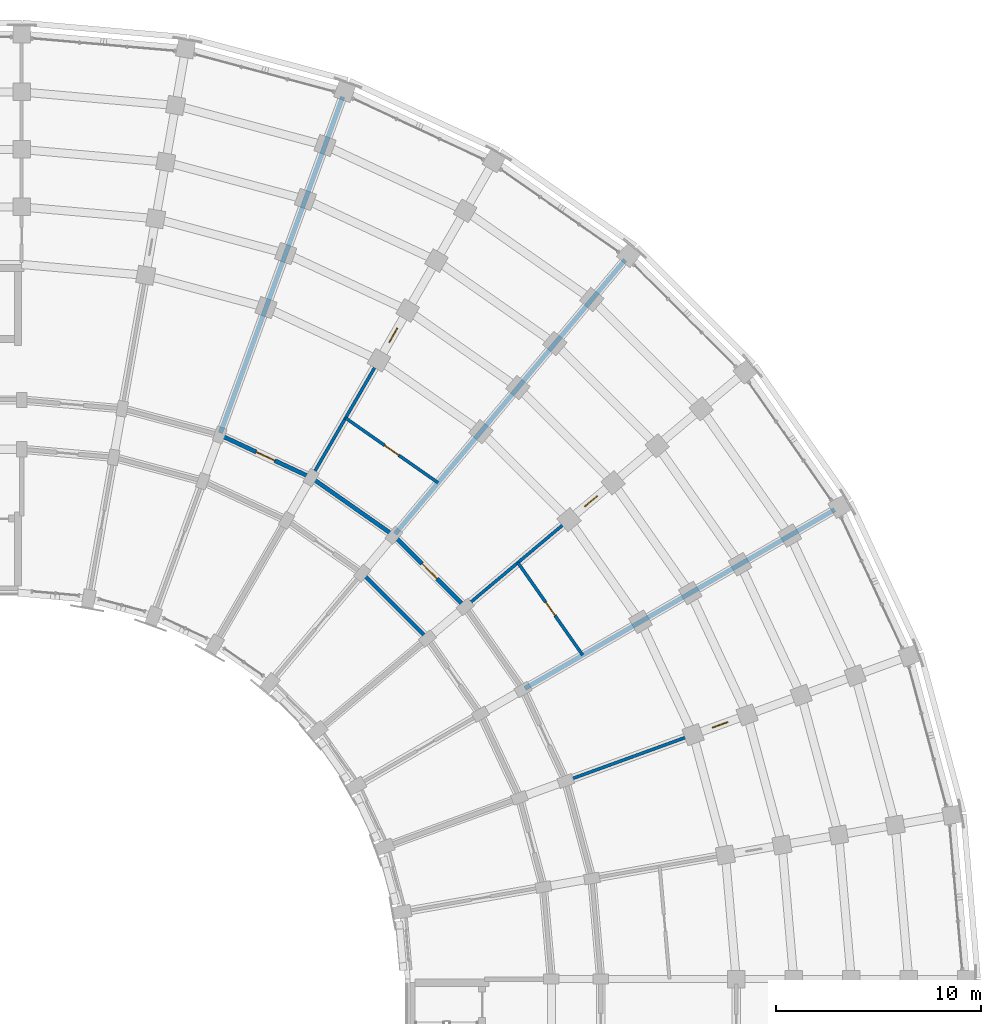
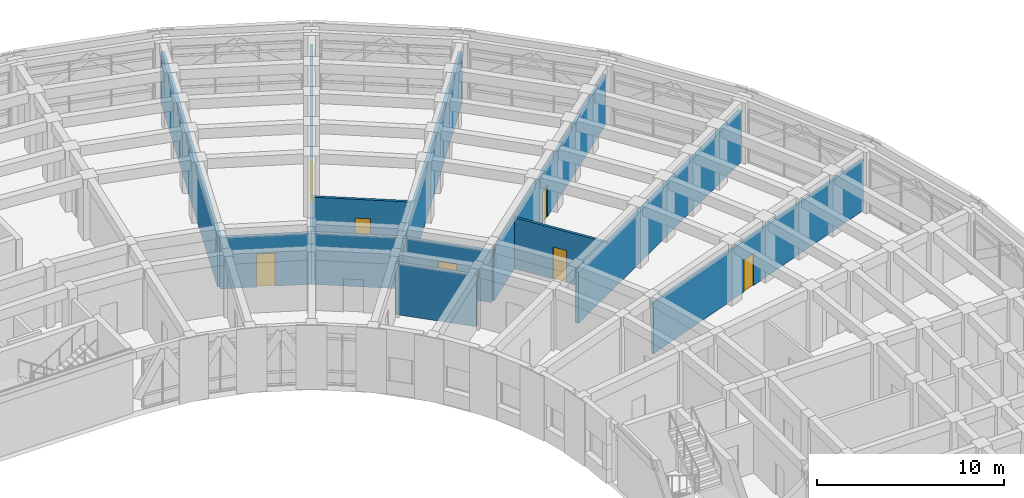
# One storey, part 78 of 97: 12 walls, 7 doors, 7 openings.
"""IFC4 building model written with IfcOpenShell, lengths in metres."""

from ifc_helpers import new_model, si_unit, direction, frame, frame_2d, origin, place, context, subcontext, project, spatial, rectangle, extrude, material, layer, layer_set, type_object, element, fill, save


model = new_model("IFC4")

# Units and contexts
model_context = context("Model", 3, precision=1e-05, world=origin(), true_north=direction((0.0, 1.0)))
body_context = subcontext(model_context, "Body", "Model", "MODEL_VIEW")
ifc_project = project(units=[si_unit("LENGTHUNIT", "METRE"), si_unit("AREAUNIT", "SQUARE_METRE"), si_unit("VOLUMEUNIT", "CUBIC_METRE"), si_unit("PLANEANGLEUNIT", "RADIAN"), si_unit("MASSUNIT", "GRAM", prefix="KILO")], contexts=[model_context])

# Site, building, storey
site_placement = place(None, origin())
site = spatial("IfcSite", under=ifc_project, at=site_placement, CompositionType="ELEMENT")
building_placement = place(site_placement, origin())
building = spatial("IfcBuilding", under=site, at=building_placement, Name="Kiranvali Square Residences", CompositionType="ELEMENT")
storey_placement = place(building_placement, frame((0.0, 0.0, 4.5)))
storey = spatial("IfcBuildingStorey", under=building, at=storey_placement, Name="L01", CompositionType="ELEMENT", Elevation=4.5)

# Wall, opening, door
ifc_material_1 = material(Name="Autoclaved aerated concrete blockwork masonry", Category="masonry")
ifc_layer_1 = layer(ifc_material_1, 0.199951171875)
ifc_layer_set_1 = layer_set([ifc_layer_1], Name="Autoclaved aerated concrete blockwork masonry")
wall_type_1 = type_object("IfcWallType", Name="WL-COR-200", PredefinedType="STANDARD", material=ifc_layer_set_1)
wall_1_placement = place(storey_placement, frame((129.445068359375, 114.29931640625, 0.0), z_axis=(0.0, 0.0, 1.0), x_axis=(0.906302381024, -0.422629854778, 0.0)))
wall_1 = element("IfcWall", 1, at=wall_1_placement, inside=storey, type_object=wall_type_1, Name="L01 architectural wall WL-L01-B-CCO-2", PredefinedType="STANDARD", context=body_context, shape_type="SweptSolid", body=[
    extrude(rectangle(XDim=4.915283203125, YDim=0.199951171875, at=frame_2d((2.45751953125, 0.0))), origin(), (0.0, 0.0, 1.0), 3.322021484375),
])
opening_1_placement = place(wall_1_placement, frame((1.957763671875, 0.0, 0.0)))
opening_1 = element("IfcOpeningElement", 2, at=opening_1_placement, cuts=wall_1, Name="Opening FD-APT-60", PredefinedType="OPENING", context=body_context, shape_type="SweptSolid", body=[
    extrude(rectangle(XDim=1.0, YDim=2.14990234375, at=frame_2d((0.5, 1.074951171875))), frame((0.0, 0.10986328125, 0.0), z_axis=(0.0, -1.0, 0.0), x_axis=(1.0, 0.0, 0.0)), (0.0, 0.0, 1.0), 0.219970703125),
])
ifc_material_2 = material(Name="Fire-rated acoustic hardwood and mineral-core door assembly", Category="wood")
door_type_1 = type_object("IfcDoorType", Name="DR-APT-1000", OperationType="NOTDEFINED", PredefinedType="DOOR", material=ifc_material_2)
door_1_placement = place(opening_1_placement, origin())
door_1 = element("IfcDoor", 3, at=door_1_placement, inside=storey, type_object=door_type_1, Name="L01 door DR-L01-1037 (DR-APT-1000)", OperationType="SINGLE_SWING_LEFT", OverallHeight=2.14990234375, OverallWidth=1.0, PredefinedType="DOOR", context=body_context, shape_type="SweptSolid", body=[
    extrude(rectangle(XDim=1.0, YDim=2.14990234375, at=frame_2d((0.5, 1.074951171875))), frame((0.0, 0.02490234375, 0.0), z_axis=(0.0, -1.0, 0.0), x_axis=(1.0, 0.0, 0.0)), (0.0, 0.0, 1.0), 0.050048828125),
])
fill(opening_1, door_1)

# Walls
wall_2_placement = place(storey_placement, frame((133.89990234375, 112.221923828125, 0.0), z_axis=(0.0, 0.0, 1.0), x_axis=(0.819140911474, -0.573592335331, 0.0)))
element("IfcWall", 4, at=wall_2_placement, inside=storey, type_object=wall_type_1, Name="L01 architectural wall WL-L01-B-CCO-3", PredefinedType="STANDARD", context=body_context, shape_type="SweptSolid", body=[
    extrude(rectangle(XDim=4.915771484375, YDim=0.199951171875, at=frame_2d((2.4580078125, 0.0))), origin(), (0.0, 0.0, 1.0), 3.322021484375),
])
wall_3_placement = place(storey_placement, frame((136.384033203125, 107.56396484375, 0.0), z_axis=(0.0, 0.0, 1.0), x_axis=(0.707106781187, -0.707106781187, 0.0)))
element("IfcWall", 5, at=wall_3_placement, inside=storey, type_object=wall_type_1, Name="L01 architectural wall WL-L01-B-CCI-4", PredefinedType="STANDARD", context=body_context, shape_type="SweptSolid", body=[
    extrude(rectangle(XDim=4.4970703125, YDim=0.199951171875, at=frame_2d((2.24853515625, 0.0))), origin(), (0.0, 0.0, 1.0), 3.322021484375),
])

# Wall, opening, door
wall_4_placement = place(storey_placement, frame((137.926513671875, 109.40234375, 0.0), z_axis=(0.0, 0.0, 1.0), x_axis=(0.707106781187, -0.707106781187, 0.0)))
wall_4 = element("IfcWall", 6, at=wall_4_placement, inside=storey, type_object=wall_type_1, Name="L01 architectural wall WL-L01-B-CCO-4", PredefinedType="STANDARD", context=body_context, shape_type="SweptSolid", body=[
    extrude(rectangle(XDim=4.91552734375, YDim=0.199951171875, at=frame_2d((2.457763671875, 0.0))), origin(), (0.0, 0.0, 1.0), 3.322021484375),
])
opening_2_placement = place(wall_4_placement, frame((1.937744140625, 0.0, 0.0)))
opening_2 = element("IfcOpeningElement", 7, at=opening_2_placement, cuts=wall_4, Name="Opening FD-APT-60B", PredefinedType="OPENING", context=body_context, shape_type="SweptSolid", body=[
    extrude(rectangle(XDim=1.0400390625, YDim=2.14990234375, at=frame_2d((0.52001953125, 1.074951171875))), frame((0.0, 0.10986328125, 0.0), z_axis=(0.0, -1.0, 0.0), x_axis=(1.0, 0.0, 0.0)), (0.0, 0.0, 1.0), 0.219970703125),
])
door_type_2 = type_object("IfcDoorType", Name="DR-APT-1040", OperationType="NOTDEFINED", PredefinedType="DOOR", material=ifc_material_2)
door_2_placement = place(opening_2_placement, origin())
door_2 = element("IfcDoor", 8, at=door_2_placement, inside=storey, type_object=door_type_2, Name="L01 door DR-L01-1039 (DR-APT-1040)", OperationType="SINGLE_SWING_LEFT", OverallHeight=2.14990234375, OverallWidth=1.0400390625, PredefinedType="DOOR", context=body_context, shape_type="SweptSolid", body=[
    extrude(rectangle(XDim=1.0400390625, YDim=2.14990234375, at=frame_2d((0.52001953125, 1.074951171875))), frame((0.0, 0.02490234375, 0.0), z_axis=(0.0, -1.0, 0.0), x_axis=(1.0, 0.0, 0.0)), (0.0, 0.0, 1.0), 0.050048828125),
])
fill(opening_2, door_2)

# Walls
ifc_layer_2 = layer(ifc_material_1, 0.22998046875)
ifc_layer_set_2 = layer_set([ifc_layer_2], Name="Autoclaved aerated concrete blockwork masonry")
wall_type_2 = type_object("IfcWallType", Name="WL-DEM-230", PredefinedType="STANDARD", material=ifc_layer_set_2)
for number, where, z_axis, x_axis, name in (
    (9, (129.479248046875, 114.393310546875, 0.0), (0.0, 0.0, 1.0), (0.342022120477, 0.939691901159, 0.0), "L01 architectural wall WL-L01-B-RADO-2"),
    (10, (137.990966796875, 109.47900390625, 0.0), (0.0, 0.0, 1.0), (0.642784757967, 0.766046835987, 0.0), "L01 architectural wall WL-L01-B-RADO-4"),
    (11, (144.30859375, 101.949951171875, 0.0), (0.0, 0.0, 1.0), (0.866026648973, 0.499997843263, 0.0), "L01 architectural wall WL-L01-B-RADO-6"),
):
    element("IfcWall", number, at=place(storey_placement, frame(where, z_axis=z_axis, x_axis=x_axis)), inside=storey, type_object=wall_type_2, Name=name, PredefinedType="STANDARD", context=body_context, shape_type="SweptSolid", body=[
        extrude(rectangle(XDim=17.419921875, YDim=0.22998046875, at=frame_2d((8.7099609375, 0.0))), origin(), (0.0, 0.0, 1.0), 3.322021484375),
    ])

# Wall, opening, door
ifc_material_3 = material(Name="Acoustic gypsum board drylined partition", Category="gypsum")
ifc_layer_3 = layer(ifc_material_3, 0.14990234375)
ifc_layer_set_3 = layer_set([ifc_layer_3], Name="Acoustic gypsum board drylined partition")
wall_type_3 = type_object("IfcWallType", Name="WL-PRT-150", PredefinedType="PARTITIONING", material=ifc_layer_set_3)
wall_5_placement = place(storey_placement, frame((133.949951171875, 112.30859375, 0.0), z_axis=(0.0, 0.0, 1.0), x_axis=(0.499997843263, 0.866026648973, 0.0)))
wall_5 = element("IfcWall", 12, at=wall_5_placement, inside=storey, type_object=wall_type_3, Name="L01 architectural wall WL-L01-B-RADO-3", PredefinedType="PARTITIONING", context=body_context, shape_type="SweptSolid", body=[
    extrude(rectangle(XDim=17.419921875, YDim=0.14990234375, at=frame_2d((8.7099609375, 0.0))), origin(), (0.0, 0.0, 1.0), 3.322021484375),
])
opening_3_placement = place(wall_5_placement, frame((7.5, 0.0, 0.0)))
opening_3 = element("IfcOpeningElement", 13, at=opening_3_placement, cuts=wall_5, Name="Opening ID-WET", PredefinedType="OPENING", context=body_context, shape_type="SweptSolid", body=[
    extrude(rectangle(XDim=0.800048828125, YDim=2.10009765625, at=frame_2d((0.39990234375, 1.050048828125))), frame((0.0, 0.0849609375, 0.0), z_axis=(0.0, -1.0, 0.0), x_axis=(1.0, 0.0, 0.0)), (0.0, 0.0, 1.0), 0.169921875),
])
ifc_material_4 = material(Name="Solid seasoned teak hardwood joinery", Category="wood")
door_type_3 = type_object("IfcDoorType", Name="DR-WET-800", OperationType="NOTDEFINED", PredefinedType="DOOR", material=ifc_material_4)
door_3_placement = place(opening_3_placement, origin())
door_3 = element("IfcDoor", 14, at=door_3_placement, inside=storey, type_object=door_type_3, Name="L01 door DR-L01-1029 (DR-WET-800)", OperationType="SINGLE_SWING_LEFT", OverallHeight=2.10009765625, OverallWidth=0.800048828125, PredefinedType="DOOR", context=body_context, shape_type="SweptSolid", body=[
    extrude(rectangle(XDim=0.800048828125, YDim=2.10009765625, at=frame_2d((0.39990234375, 1.050048828125))), frame((0.0, 0.02490234375, 0.0), z_axis=(0.0, -1.0, 0.0), x_axis=(1.0, 0.0, 0.0)), (0.0, 0.0, 1.0), 0.050048828125),
])
fill(opening_3, door_3)

wall_6_placement = place(storey_placement, frame((141.47900390625, 105.990966796875, 0.0), z_axis=(0.0, 0.0, 1.0), x_axis=(0.766046835987, 0.642784757967, 0.0)))
wall_6 = element("IfcWall", 15, at=wall_6_placement, inside=storey, type_object=wall_type_3, Name="L01 architectural wall WL-L01-B-RADO-5", PredefinedType="PARTITIONING", context=body_context, shape_type="SweptSolid", body=[
    extrude(rectangle(XDim=17.419921875, YDim=0.14990234375, at=frame_2d((8.7099609375, 0.0))), origin(), (0.0, 0.0, 1.0), 3.322021484375),
])
opening_4_placement = place(wall_6_placement, frame((7.5, 0.0, 0.0)))
opening_4 = element("IfcOpeningElement", 16, at=opening_4_placement, cuts=wall_6, Name="Opening ID-WET", PredefinedType="OPENING", context=body_context, shape_type="SweptSolid", body=[
    extrude(rectangle(XDim=0.800048828125, YDim=2.10009765625, at=frame_2d((0.39990234375, 1.050048828125))), frame((0.0, 0.0849609375, 0.0), z_axis=(0.0, -1.0, 0.0), x_axis=(1.0, 0.0, 0.0)), (0.0, 0.0, 1.0), 0.169921875),
])
door_4_placement = place(opening_4_placement, origin())
door_4 = element("IfcDoor", 17, at=door_4_placement, inside=storey, type_object=door_type_3, Name="L01 door DR-L01-1031 (DR-WET-800)", OperationType="SINGLE_SWING_LEFT", OverallHeight=2.10009765625, OverallWidth=0.800048828125, PredefinedType="DOOR", context=body_context, shape_type="SweptSolid", body=[
    extrude(rectangle(XDim=0.800048828125, YDim=2.10009765625, at=frame_2d((0.39990234375, 1.050048828125))), frame((0.0, 0.02490234375, 0.0), z_axis=(0.0, -1.0, 0.0), x_axis=(1.0, 0.0, 0.0)), (0.0, 0.0, 1.0), 0.050048828125),
])
fill(opening_4, door_4)

wall_7_placement = place(storey_placement, frame((146.393310546875, 97.479248046875, 0.0), z_axis=(0.0, 0.0, 1.0), x_axis=(0.939691901159, 0.342022120477, 0.0)))
wall_7 = element("IfcWall", 18, at=wall_7_placement, inside=storey, type_object=wall_type_3, Name="L01 architectural wall WL-L01-B-RADO-7", PredefinedType="PARTITIONING", context=body_context, shape_type="SweptSolid", body=[
    extrude(rectangle(XDim=17.419921875, YDim=0.14990234375, at=frame_2d((8.7099609375, 0.0))), origin(), (0.0, 0.0, 1.0), 3.322021484375),
])
opening_5_placement = place(wall_7_placement, frame((7.5, 0.0, 0.0)))
opening_5 = element("IfcOpeningElement", 19, at=opening_5_placement, cuts=wall_7, Name="Opening ID-WET", PredefinedType="OPENING", context=body_context, shape_type="SweptSolid", body=[
    extrude(rectangle(XDim=0.800048828125, YDim=2.10009765625, at=frame_2d((0.39990234375, 1.050048828125))), frame((0.0, 0.0849609375, 0.0), z_axis=(0.0, -1.0, 0.0), x_axis=(1.0, 0.0, 0.0)), (0.0, 0.0, 1.0), 0.169921875),
])
door_5_placement = place(opening_5_placement, origin())
door_5 = element("IfcDoor", 20, at=door_5_placement, inside=storey, type_object=door_type_3, Name="L01 door DR-L01-1033 (DR-WET-800)", OperationType="SINGLE_SWING_LEFT", OverallHeight=2.10009765625, OverallWidth=0.800048828125, PredefinedType="DOOR", context=body_context, shape_type="SweptSolid", body=[
    extrude(rectangle(XDim=0.800048828125, YDim=2.10009765625, at=frame_2d((0.39990234375, 1.050048828125))), frame((0.0, 0.02490234375, 0.0), z_axis=(0.0, -1.0, 0.0), x_axis=(1.0, 0.0, 0.0)), (0.0, 0.0, 1.0), 0.050048828125),
])
fill(opening_5, door_5)

ifc_layer_4 = layer(ifc_material_1, 0.14990234375)
ifc_layer_set_4 = layer_set([ifc_layer_4], Name="Autoclaved aerated concrete blockwork masonry")
wall_type_4 = type_object("IfcWallType", Name="WL-WET-150", PredefinedType="PLUMBINGWALL", material=ifc_layer_set_4)
wall_8_placement = place(storey_placement, frame((135.574951171875, 115.123046875, 0.0), z_axis=(0.0, 0.0, 1.0), x_axis=(0.819156831143, -0.573569599955, 0.0)))
wall_8 = element("IfcWall", 21, at=wall_8_placement, inside=storey, type_object=wall_type_4, Name="L01 architectural wall WL-L01-B-CWET-3", PredefinedType="PLUMBINGWALL", context=body_context, shape_type="SweptSolid", body=[
    extrude(rectangle(XDim=5.49951171875, YDim=0.14990234375, at=frame_2d((2.749755859375, 0.0))), origin(), (0.0, 0.0, 1.0), 3.322021484375),
])
opening_6_placement = place(wall_8_placement, frame((2.329833984375, 0.0, 0.0)))
opening_6 = element("IfcOpeningElement", 22, at=opening_6_placement, cuts=wall_8, Name="Opening ID-WET2", PredefinedType="OPENING", context=body_context, shape_type="SweptSolid", body=[
    extrude(rectangle(XDim=0.840087890625, YDim=2.10009765625, at=frame_2d((0.419921875, 1.050048828125))), frame((0.0, 0.0849609375, 0.0), z_axis=(0.0, -1.0, 0.0), x_axis=(1.0, 0.0, 0.0)), (0.0, 0.0, 1.0), 0.169921875),
])
door_type_4 = type_object("IfcDoorType", Name="DR-WET-840", OperationType="NOTDEFINED", PredefinedType="DOOR", material=ifc_material_4)
door_6_placement = place(opening_6_placement, frame((0.840087890625, 0.0, 0.0), z_axis=(0.0, 0.0, 1.0), x_axis=(-1.0, 0.0, 0.0)))
door_6 = element("IfcDoor", 23, at=door_6_placement, inside=storey, type_object=door_type_4, Name="L01 door DR-L01-1038 (DR-WET-840)", OperationType="SINGLE_SWING_RIGHT", OverallHeight=2.10009765625, OverallWidth=0.840087890625, PredefinedType="DOOR", context=body_context, shape_type="SweptSolid", body=[
    extrude(rectangle(XDim=0.840087890625, YDim=2.10009765625, at=frame_2d((0.419921875, 1.050048828125))), frame((0.0, 0.02490234375, 0.0), z_axis=(0.0, -1.0, 0.0), x_axis=(1.0, 0.0, 0.0)), (0.0, 0.0, 1.0), 0.050048828125),
])
fill(opening_6, door_6)

wall_9_placement = place(storey_placement, frame((143.96875, 108.079833984375, 0.0), z_axis=(0.0, 0.0, 1.0), x_axis=(0.573569599955, -0.819156831143, 0.0)))
wall_9 = element("IfcWall", 24, at=wall_9_placement, inside=storey, type_object=wall_type_4, Name="L01 architectural wall WL-L01-B-CWET-5", PredefinedType="PLUMBINGWALL", context=body_context, shape_type="SweptSolid", body=[
    extrude(rectangle(XDim=5.49951171875, YDim=0.14990234375, at=frame_2d((2.749755859375, 0.0))), origin(), (0.0, 0.0, 1.0), 3.322021484375),
])
opening_7_placement = place(wall_9_placement, frame((2.349853515625, 0.0, 0.0)))
opening_7 = element("IfcOpeningElement", 25, at=opening_7_placement, cuts=wall_9, Name="Opening ID-WET", PredefinedType="OPENING", context=body_context, shape_type="SweptSolid", body=[
    extrude(rectangle(XDim=0.800048828125, YDim=2.10009765625, at=frame_2d((0.39990234375, 1.050048828125))), frame((0.0, 0.0849609375, 0.0), z_axis=(0.0, -1.0, 0.0), x_axis=(1.0, 0.0, 0.0)), (0.0, 0.0, 1.0), 0.169921875),
])
door_7_placement = place(opening_7_placement, frame((0.800048828125, 0.0, 0.0), z_axis=(0.0, 0.0, 1.0), x_axis=(-1.0, 0.0, 0.0)))
door_7 = element("IfcDoor", 26, at=door_7_placement, inside=storey, type_object=door_type_3, Name="L01 door DR-L01-1040 (DR-WET-800)", OperationType="SINGLE_SWING_RIGHT", OverallHeight=2.10009765625, OverallWidth=0.800048828125, PredefinedType="DOOR", context=body_context, shape_type="SweptSolid", body=[
    extrude(rectangle(XDim=0.800048828125, YDim=2.10009765625, at=frame_2d((0.39990234375, 1.050048828125))), frame((0.0, 0.02490234375, 0.0), z_axis=(0.0, -1.0, 0.0), x_axis=(1.0, 0.0, 0.0)), (0.0, 0.0, 1.0), 0.050048828125),
])
fill(opening_7, door_7)

save(model, "model.ifc")
